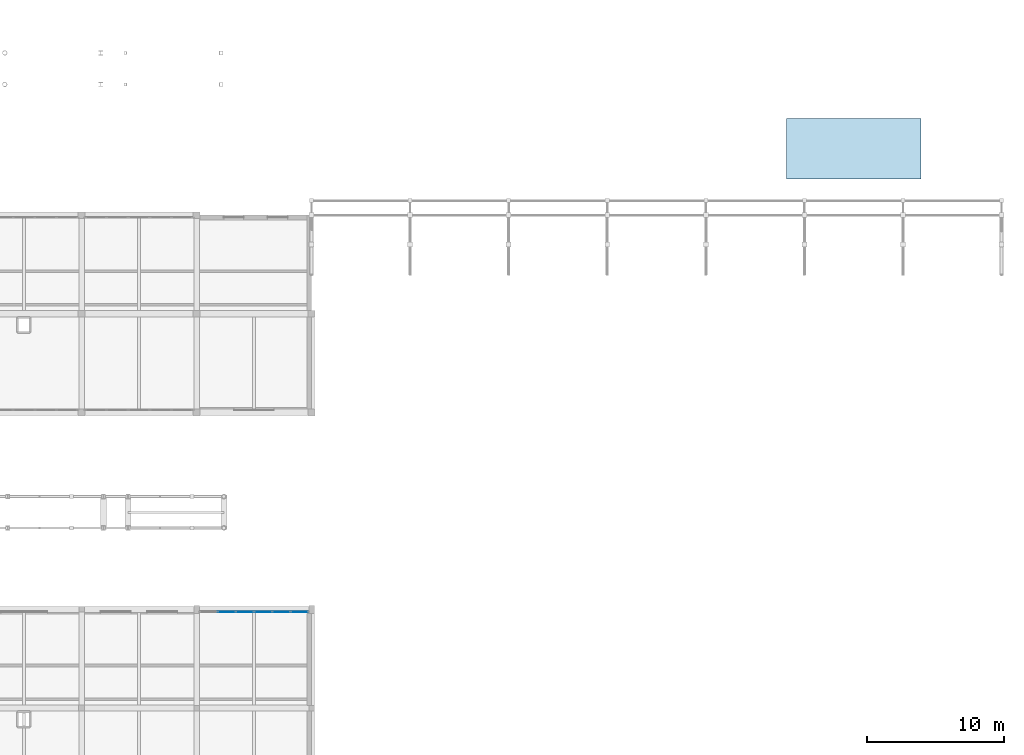
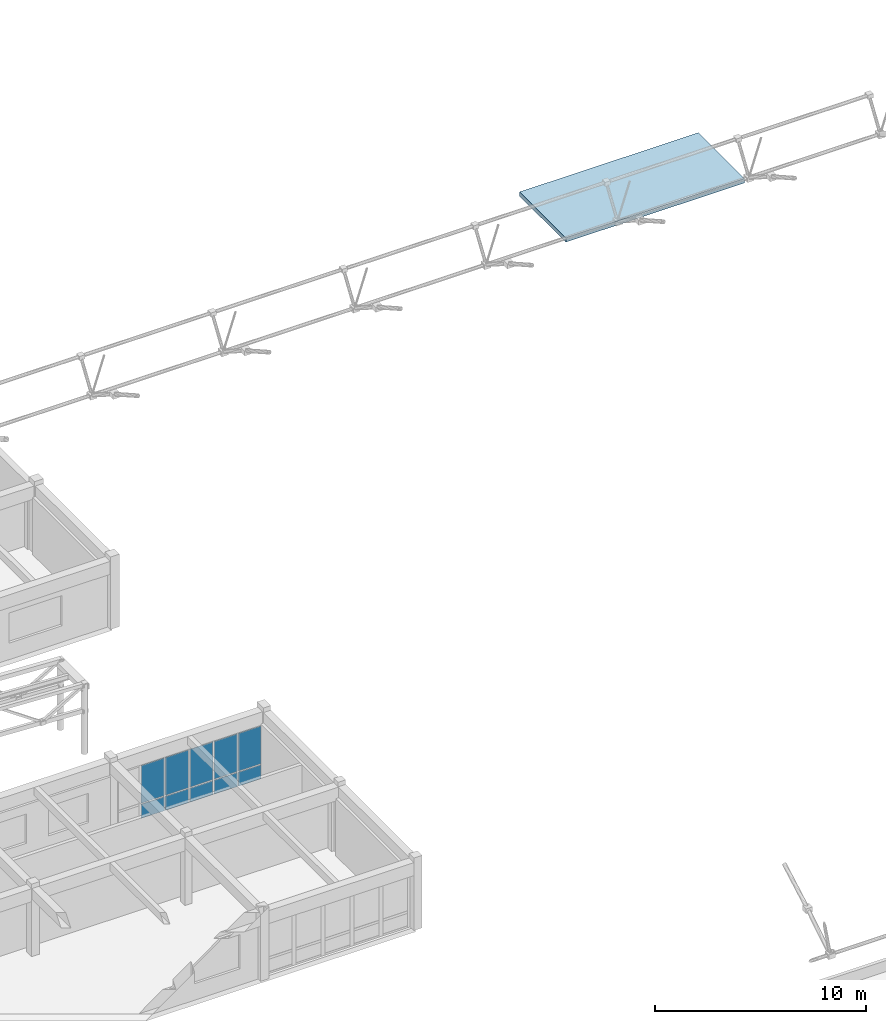
# One storey, part 63 of 90: 10 plates, 1 slab, 1 element without a shape of its own.
"""IFC4 building model written with IfcOpenShell, lengths in metres."""

from ifc_helpers import new_model, si_unit, direction, frame, origin, origin_2d, place, context, subcontext, project, spatial, polyline, rectangle, outline, extrude, material, layer, layer_set, type_object, element, aggregate, save


model = new_model("IFC4")

# Units and contexts
model_context = context("Model", 3, precision=1e-05, world=origin(), true_north=direction((0.0, 1.0)))
body_context = subcontext(model_context, "Body", "Model", "MODEL_VIEW")
ifc_project = project(units=[si_unit("LENGTHUNIT", "METRE"), si_unit("AREAUNIT", "SQUARE_METRE"), si_unit("VOLUMEUNIT", "CUBIC_METRE"), si_unit("PLANEANGLEUNIT", "RADIAN"), si_unit("MASSUNIT", "GRAM", prefix="KILO")], contexts=[model_context])

# Site, building, storey
site_placement = place(None, origin())
site = spatial("IfcSite", under=ifc_project, at=site_placement, CompositionType="ELEMENT")
building_placement = place(site_placement, origin())
building = spatial("IfcBuilding", under=site, at=building_placement, Name="Malvenik Polytechnic", CompositionType="ELEMENT")
storey_placement = place(building_placement, frame((0.0, 0.0, 9.300048828125)))
storey = spatial("IfcBuildingStorey", under=building, at=storey_placement, Name="L02", CompositionType="ELEMENT", Elevation=9.300048828125)

# Curtain wall, plates
ifc_material_1 = material(Name="Anodised aluminium 6060-T6", Category="aluminium")
curtain_wall_type = type_object("IfcCurtainWallType", Name="ARC-CW-CW-03", PredefinedType="NOTDEFINED", material=ifc_material_1)
curtain_wall_placement = place(storey_placement, origin())
curtain_wall = element("IfcCurtainWall", 1, at=curtain_wall_placement, inside=storey, type_object=curtain_wall_type, Name="Unitised Curtain Wall CW-03 L02 #143", PredefinedType="NOTDEFINED")
ifc_material_2 = material(Name="Triple solar-control glazing 8-14-6-14-8", Category="glass")
ifc_layer_1 = layer(ifc_material_2, 0.035888671875)
ifc_layer_set_1 = layer_set([ifc_layer_1], Name="Triple solar-control glazing 8-14-6-14-8")
plate_type_1 = type_object("IfcPlateType", Name="ARC-CWP-CP-GLZ36", PredefinedType="CURTAIN_PANEL", material=ifc_layer_set_1)
plate_1_placement = place(storey_placement, frame((128.198974609375, 64.6298828125, 0.929931640625), z_axis=(0.0, 0.0, 1.0), x_axis=(1.0, 0.0, 0.0)))
plate_1 = element("IfcPlate", 2, at=plate_1_placement, type_object=plate_type_1, Name="CW-03 panel 2.2", PredefinedType="CURTAIN_PANEL", context=body_context, shape_type="SweptSolid", body=[
    extrude(rectangle(XDim=1.27392578125, YDim=0.028076171875, at=origin_2d()), origin(), (0.0, 0.0, 1.0), 2.18994140625),
])
plate_2_placement = place(storey_placement, frame((129.532958984375, 64.6298828125, 0.929931640625), z_axis=(0.0, 0.0, 1.0), x_axis=(1.0, 0.0, 0.0)))
plate_2 = element("IfcPlate", 3, at=plate_2_placement, type_object=plate_type_1, Name="CW-03 panel 3.2", PredefinedType="CURTAIN_PANEL", context=body_context, shape_type="SweptSolid", body=[
    extrude(rectangle(XDim=1.27392578125, YDim=0.028076171875, at=origin_2d()), origin(), (0.0, 0.0, 1.0), 2.18994140625),
])
plate_3_placement = place(storey_placement, frame((130.866943359375, 64.6298828125, 0.929931640625), z_axis=(0.0, 0.0, 1.0), x_axis=(1.0, 0.0, 0.0)))
plate_3 = element("IfcPlate", 4, at=plate_3_placement, type_object=plate_type_1, Name="CW-03 panel 4.2", PredefinedType="CURTAIN_PANEL", context=body_context, shape_type="SweptSolid", body=[
    extrude(rectangle(XDim=1.27392578125, YDim=0.028076171875, at=origin_2d()), origin(), (0.0, 0.0, 1.0), 2.18994140625),
])
plate_4_placement = place(storey_placement, frame((132.200927734375, 64.6298828125, 0.929931640625), z_axis=(0.0, 0.0, 1.0), x_axis=(1.0, 0.0, 0.0)))
plate_4 = element("IfcPlate", 5, at=plate_4_placement, type_object=plate_type_1, Name="CW-03 panel 5.2", PredefinedType="CURTAIN_PANEL", context=body_context, shape_type="SweptSolid", body=[
    extrude(rectangle(XDim=1.27392578125, YDim=0.028076171875, at=origin_2d()), origin(), (0.0, 0.0, 1.0), 2.18994140625),
])
plate_5_placement = place(storey_placement, frame((133.52001953125, 64.6298828125, 0.929931640625), z_axis=(0.0, 0.0, 1.0), x_axis=(1.0, 0.0, 0.0)))
plate_5 = element("IfcPlate", 6, at=plate_5_placement, type_object=plate_type_1, Name="CW-03 panel 6.2", PredefinedType="CURTAIN_PANEL", context=body_context, shape_type="SweptSolid", body=[
    extrude(rectangle(XDim=1.243896484375, YDim=0.028076171875, at=origin_2d()), origin(), (0.0, 0.0, 1.0), 2.18994140625),
])
ifc_material_3 = material(Name="Insulated aluminium spandrel cassette 42mm", Category="aluminium")
ifc_layer_2 = layer(ifc_material_3, 0.0419921875)
ifc_layer_set_2 = layer_set([ifc_layer_2], Name="Insulated aluminium spandrel cassette 42mm")
plate_type_2 = type_object("IfcPlateType", Name="ARC-CWP-CP-SPN42", PredefinedType="CURTAIN_PANEL", material=ifc_layer_set_2)
plate_6_placement = place(storey_placement, frame((128.198974609375, 64.6298828125, 0.059814453125), z_axis=(0.0, 0.0, 1.0), x_axis=(1.0, 0.0, 0.0)))
plate_6 = element("IfcPlate", 7, at=plate_6_placement, type_object=plate_type_2, Name="CW-03 panel 2.1", PredefinedType="CURTAIN_PANEL", context=body_context, shape_type="SweptSolid", body=[
    extrude(rectangle(XDim=1.27392578125, YDim=0.028076171875, at=origin_2d()), origin(), (0.0, 0.0, 1.0), 0.81005859375),
])
plate_7_placement = place(storey_placement, frame((129.532958984375, 64.6298828125, 0.059814453125), z_axis=(0.0, 0.0, 1.0), x_axis=(1.0, 0.0, 0.0)))
plate_7 = element("IfcPlate", 8, at=plate_7_placement, type_object=plate_type_2, Name="CW-03 panel 3.1", PredefinedType="CURTAIN_PANEL", context=body_context, shape_type="SweptSolid", body=[
    extrude(rectangle(XDim=1.27392578125, YDim=0.028076171875, at=origin_2d()), origin(), (0.0, 0.0, 1.0), 0.81005859375),
])
plate_8_placement = place(storey_placement, frame((130.866943359375, 64.6298828125, 0.059814453125), z_axis=(0.0, 0.0, 1.0), x_axis=(1.0, 0.0, 0.0)))
plate_8 = element("IfcPlate", 9, at=plate_8_placement, type_object=plate_type_2, Name="CW-03 panel 4.1", PredefinedType="CURTAIN_PANEL", context=body_context, shape_type="SweptSolid", body=[
    extrude(rectangle(XDim=1.27392578125, YDim=0.028076171875, at=origin_2d()), origin(), (0.0, 0.0, 1.0), 0.81005859375),
])
plate_9_placement = place(storey_placement, frame((132.200927734375, 64.6298828125, 0.059814453125), z_axis=(0.0, 0.0, 1.0), x_axis=(1.0, 0.0, 0.0)))
plate_9 = element("IfcPlate", 10, at=plate_9_placement, type_object=plate_type_2, Name="CW-03 panel 5.1", PredefinedType="CURTAIN_PANEL", context=body_context, shape_type="SweptSolid", body=[
    extrude(rectangle(XDim=1.27392578125, YDim=0.028076171875, at=origin_2d()), origin(), (0.0, 0.0, 1.0), 0.81005859375),
])
plate_10_placement = place(storey_placement, frame((133.52001953125, 64.6298828125, 0.059814453125), z_axis=(0.0, 0.0, 1.0), x_axis=(1.0, 0.0, 0.0)))
plate_10 = element("IfcPlate", 11, at=plate_10_placement, type_object=plate_type_2, Name="CW-03 panel 6.1", PredefinedType="CURTAIN_PANEL", context=body_context, shape_type="SweptSolid", body=[
    extrude(rectangle(XDim=1.243896484375, YDim=0.028076171875, at=origin_2d()), origin(), (0.0, 0.0, 1.0), 0.81005859375),
])
aggregate(curtain_wall, [plate_6, plate_1, plate_7, plate_2, plate_8, plate_3, plate_9, plate_4, plate_10, plate_5])

# Slab
ifc_material_4 = material(Name="Concrete C35/45", Category="concrete")
ifc_layer_3 = layer(ifc_material_4, 0.239990234375)
ifc_layer_set_3 = layer_set([ifc_layer_3], Name="Concrete C35/45")
slab_type = type_object("IfcSlabType", Name="STR-SLB-ROOF-240", PredefinedType="ROOF", material=ifc_layer_set_3)
slab_placement = place(storey_placement, frame((0.0, 0.0, -0.280029296875)))
element("IfcSlab", 12, at=slab_placement, inside=storey, type_object=slab_type, Name="Stair Bulkhead Roof Slab ST-12", PredefinedType="ROOF", context=body_context, shape_type="SweptSolid", body=[
    extrude(outline(polyline([(169.10009765625, 96.25), (178.89990234375, 96.25), (178.89990234375, 100.64990234375), (169.10009765625, 100.64990234375), (169.10009765625, 96.25)])), origin(), (0.0, 0.0, 1.0), 0.239990234375),
])

save(model, "model.ifc")
